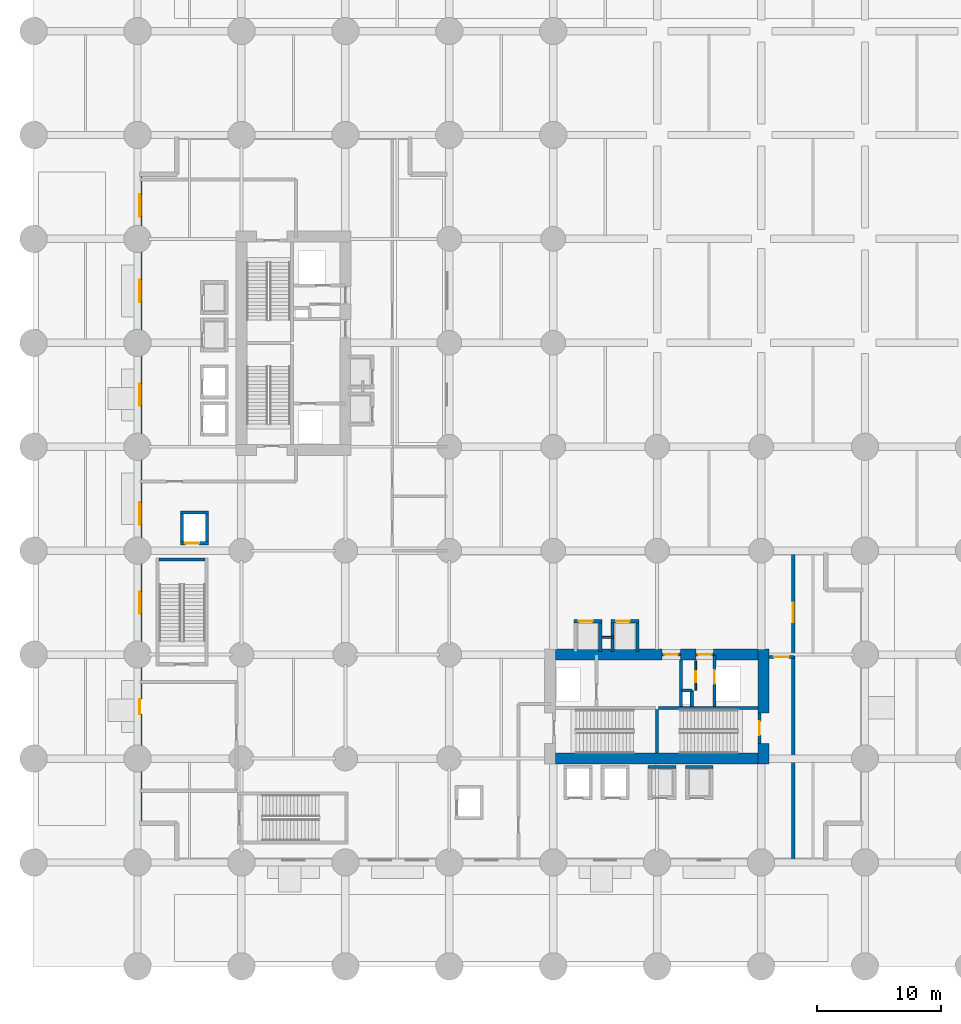
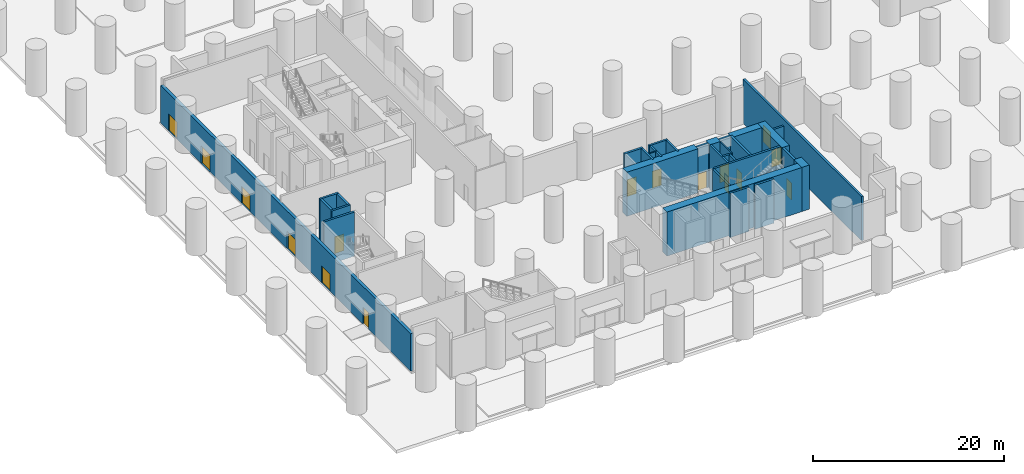
# One storey, part 6 of 13: 32 walls, 16 doors, 16 openings.
"""IFC4 building model written with IfcOpenShell, lengths in metres."""

from ifc_helpers import new_model, si_unit, direction, frame, frame_2d, origin, place, context, subcontext, project, spatial, rectangle, extrude, material, layer, layer_set, type_object, element, fill, save


model = new_model("IFC4")

# Units and contexts
model_context = context("Model", 3, precision=1e-05, world=origin(), true_north=direction((0.0, 1.0)))
body_context = subcontext(model_context, "Body", "Model", "MODEL_VIEW")
ifc_project = project(units=[si_unit("LENGTHUNIT", "METRE"), si_unit("AREAUNIT", "SQUARE_METRE"), si_unit("VOLUMEUNIT", "CUBIC_METRE"), si_unit("PLANEANGLEUNIT", "RADIAN"), si_unit("MASSUNIT", "GRAM", prefix="KILO")], contexts=[model_context])

# Site, building, storey
site_placement = place(None, origin())
site = spatial("IfcSite", under=ifc_project, at=site_placement, CompositionType="ELEMENT")
building_placement = place(site_placement, origin())
building = spatial("IfcBuilding", under=site, at=building_placement, Name="Koriwani Terraces Tower", CompositionType="ELEMENT")
storey_placement = place(building_placement, origin())
storey = spatial("IfcBuildingStorey", under=building, at=storey_placement, Name="L00", CompositionType="ELEMENT", Elevation=0.0)

# Walls
ifc_material_1 = material(Name="Concrete C60/75", Category="concrete")
ifc_layer_1 = layer(ifc_material_1, 0.89990234375, Name="Concrete C60/75")
ifc_layer_set_1 = layer_set([ifc_layer_1], Name="Concrete C60/75")
wall_type_1 = type_object("IfcWallType", Name="WALL_CORE_RC_900", PredefinedType="SHEAR", material=ifc_layer_set_1)
wall_1_placement = place(storey_placement, frame((59.0, 16.35009765625, 0.0), z_axis=(0.0, 0.0, 1.0), x_axis=(0.0, 1.0, 0.0)))
element("IfcWall", 1, at=wall_1_placement, inside=storey, type_object=wall_type_1, Name="L00 East Split Core Shear Wall E1", PredefinedType="SHEAR", context=body_context, shape_type="SweptSolid", body=[
    extrude(rectangle(XDim=1.64990234375, YDim=0.89990234375, at=frame_2d((0.824951171875, 0.0))), origin(), (0.0, 0.0, 1.0), 5.64990234375),
])
wall_2_placement = place(storey_placement, frame((59.0, 20.5, 0.0), z_axis=(0.0, 0.0, 1.0), x_axis=(0.0, 1.0, 0.0)))
element("IfcWall", 2, at=wall_2_placement, inside=storey, type_object=wall_type_1, Name="L00 East Split Core Shear Wall E2", PredefinedType="SHEAR", context=body_context, shape_type="SweptSolid", body=[
    extrude(rectangle(XDim=5.14990234375, YDim=0.89990234375, at=frame_2d((2.574951171875, 0.0))), origin(), (0.0, 0.0, 1.0), 5.64990234375),
])
wall_3_placement = place(storey_placement, frame((42.199951171875, 16.800048828125, 0.0), z_axis=(0.0, 0.0, 1.0), x_axis=(1.0, 0.0, 0.0)))
element("IfcWall", 3, at=wall_3_placement, inside=storey, type_object=wall_type_1, Name="L00 East Split Core Shear Wall S1", PredefinedType="SHEAR", context=body_context, shape_type="SweptSolid", body=[
    extrude(rectangle(XDim=16.35009765625, YDim=0.89990234375, at=frame_2d((8.175048828125, 0.0))), origin(), (0.0, 0.0, 1.0), 5.64990234375),
])
wall_4_placement = place(storey_placement, frame((42.199951171875, 25.199951171875, 0.0), z_axis=(0.0, 0.0, 1.0), x_axis=(1.0, 0.0, 0.0)))
element("IfcWall", 4, at=wall_4_placement, inside=storey, type_object=wall_type_1, Name="L00 East Split Core Shear Wall N1", PredefinedType="SHEAR", context=body_context, shape_type="SweptSolid", body=[
    extrude(rectangle(XDim=8.60009765625, YDim=0.89990234375, at=frame_2d((4.300048828125, 0.0))), origin(), (0.0, 0.0, 1.0), 5.64990234375),
])
wall_5_placement = place(storey_placement, frame((52.280029296875, 25.199951171875, 0.0), z_axis=(0.0, 0.0, 1.0), x_axis=(1.0, 0.0, 0.0)))
element("IfcWall", 5, at=wall_5_placement, inside=storey, type_object=wall_type_1, Name="L00 East Split Core Shear Wall N2", PredefinedType="SHEAR", context=body_context, shape_type="SweptSolid", body=[
    extrude(rectangle(XDim=1.27001953125, YDim=0.89990234375, at=frame_2d((0.635009765625, 0.0))), origin(), (0.0, 0.0, 1.0), 5.64990234375),
])
wall_6_placement = place(storey_placement, frame((54.949951171875, 25.199951171875, 0.0), z_axis=(0.0, 0.0, 1.0), x_axis=(1.0, 0.0, 0.0)))
element("IfcWall", 6, at=wall_6_placement, inside=storey, type_object=wall_type_1, Name="L00 East Split Core Shear Wall N3", PredefinedType="SHEAR", context=body_context, shape_type="SweptSolid", body=[
    extrude(rectangle(XDim=3.60009765625, YDim=0.89990234375, at=frame_2d((1.800048828125, 0.0))), origin(), (0.0, 0.0, 1.0), 5.64990234375),
])

# Wall, openings, doors
ifc_material_2 = material(Name="Concrete C50/60", Category="concrete")
ifc_layer_2 = layer(ifc_material_2, 0.35009765625, Name="Concrete C50/60")
ifc_layer_set_2 = layer_set([ifc_layer_2], Name="Concrete C50/60")
wall_type_2 = type_object("IfcWallType", Name="WALL_EXT_BRUTALIST_350", PredefinedType="STANDARD", material=ifc_layer_set_2)
wall_7_placement = place(storey_placement, frame((8.574951171875, 11.574951171875, 0.0), z_axis=(0.0, 0.0, 1.0), x_axis=(0.0, 1.0, 0.0)))
wall_7 = element("IfcWall", 7, at=wall_7_placement, inside=storey, type_object=wall_type_2, Name="L00 Fair-Faced Brutalist Exterior Wall (W)", PredefinedType="STANDARD", context=body_context, shape_type="SweptSolid", body=[
    extrude(rectangle(XDim=52.449951171875, YDim=0.35009765625, at=frame_2d((26.22509765625, 0.0))), origin(), (0.0, 0.0, 1.0), 4.800048828125),
])
opening_1_placement = place(wall_7_placement, frame((24.125, 0.0, 0.0)))
opening_1 = element("IfcOpeningElement", 8, at=opening_1_placement, cuts=wall_7, Name="Opening D-01", PredefinedType="OPENING", context=body_context, shape_type="SweptSolid", body=[
    extrude(rectangle(XDim=1.800048828125, YDim=2.199951171875, at=frame_2d((0.89990234375, 1.10009765625))), frame((0.0, 0.18505859375, 0.0), z_axis=(0.0, -1.0, 0.0), x_axis=(1.0, 0.0, 0.0)), (0.0, 0.0, 1.0), 0.3701171875),
])
opening_2_placement = place(wall_7_placement, frame((33.72509765625, 0.0, 0.0)))
opening_2 = element("IfcOpeningElement", 9, at=opening_2_placement, cuts=wall_7, Name="Opening D-01", PredefinedType="OPENING", context=body_context, shape_type="SweptSolid", body=[
    extrude(rectangle(XDim=1.800048828125, YDim=2.199951171875, at=frame_2d((0.89990234375, 1.10009765625))), frame((0.0, 0.18505859375, 0.0), z_axis=(0.0, -1.0, 0.0), x_axis=(1.0, 0.0, 0.0)), (0.0, 0.0, 1.0), 0.3701171875),
])
opening_3_placement = place(wall_7_placement, frame((42.125, 0.0, 0.0)))
opening_3 = element("IfcOpeningElement", 10, at=opening_3_placement, cuts=wall_7, Name="Opening D-01", PredefinedType="OPENING", context=body_context, shape_type="SweptSolid", body=[
    extrude(rectangle(XDim=1.800048828125, YDim=2.199951171875, at=frame_2d((0.89990234375, 1.10009765625))), frame((0.0, 0.18505859375, 0.0), z_axis=(0.0, -1.0, 0.0), x_axis=(1.0, 0.0, 0.0)), (0.0, 0.0, 1.0), 0.3701171875),
])
opening_4_placement = place(wall_7_placement, frame((49.02490234375, 0.0, 0.0)))
opening_4 = element("IfcOpeningElement", 11, at=opening_4_placement, cuts=wall_7, Name="Opening D-01", PredefinedType="OPENING", context=body_context, shape_type="SweptSolid", body=[
    extrude(rectangle(XDim=1.800048828125, YDim=2.199951171875, at=frame_2d((0.89990234375, 1.10009765625))), frame((0.0, 0.18505859375, 0.0), z_axis=(0.0, -1.0, 0.0), x_axis=(1.0, 0.0, 0.0)), (0.0, 0.0, 1.0), 0.3701171875),
])
opening_5_placement = place(wall_7_placement, frame((16.925048828125, 0.0, 0.0)))
opening_5 = element("IfcOpeningElement", 12, at=opening_5_placement, cuts=wall_7, Name="Opening D-01", PredefinedType="OPENING", context=body_context, shape_type="SweptSolid", body=[
    extrude(rectangle(XDim=1.800048828125, YDim=2.199951171875, at=frame_2d((0.89990234375, 1.10009765625))), frame((0.0, 0.18505859375, 0.0), z_axis=(0.0, -1.0, 0.0), x_axis=(1.0, 0.0, 0.0)), (0.0, 0.0, 1.0), 0.3701171875),
])
opening_6_placement = place(wall_7_placement, frame((8.824951171875, 0.0, 0.0)))
opening_6 = element("IfcOpeningElement", 13, at=opening_6_placement, cuts=wall_7, Name="Opening D-04", PredefinedType="OPENING", context=body_context, shape_type="SweptSolid", body=[
    extrude(rectangle(XDim=1.199951171875, YDim=2.14990234375, at=frame_2d((0.60009765625, 1.074951171875))), frame((0.0, 0.18505859375, 0.0), z_axis=(0.0, -1.0, 0.0), x_axis=(1.0, 0.0, 0.0)), (0.0, 0.0, 1.0), 0.3701171875),
])
ifc_material_3 = material(Name="Anodised Bronze Aluminium", Category="aluminium")
door_type_1 = type_object("IfcDoorType", Name="DOOR_EXIT_DOUBLE_1800X2200", OperationType="NOTDEFINED", PredefinedType="DOOR", material=ifc_material_3)
door_1_placement = place(opening_1_placement, origin())
door_1 = element("IfcDoor", 14, at=door_1_placement, inside=storey, type_object=door_type_1, Name="Final Exit Door EX-05 (Podium Stair ST-P1 Discharge)", OperationType="DOUBLE_SWING_LEFT", OverallHeight=2.199951171875, OverallWidth=1.800048828125, PredefinedType="DOOR", context=body_context, shape_type="SweptSolid", body=[
    extrude(rectangle(XDim=1.800048828125, YDim=2.199951171875, at=frame_2d((0.89990234375, 1.10009765625))), frame((0.0, 0.02490234375, 0.0), z_axis=(0.0, -1.0, 0.0), x_axis=(1.0, 0.0, 0.0)), (0.0, 0.0, 1.0), 0.050048828125),
])
fill(opening_1, door_1)
door_2_placement = place(opening_2_placement, origin())
door_2 = element("IfcDoor", 15, at=door_2_placement, inside=storey, type_object=door_type_1, Name="Final Exit Door EX-06 (West Stair ST-W1 Protected Discharge)", OperationType="DOUBLE_SWING_LEFT", OverallHeight=2.199951171875, OverallWidth=1.800048828125, PredefinedType="DOOR", context=body_context, shape_type="SweptSolid", body=[
    extrude(rectangle(XDim=1.800048828125, YDim=2.199951171875, at=frame_2d((0.89990234375, 1.10009765625))), frame((0.0, 0.02490234375, 0.0), z_axis=(0.0, -1.0, 0.0), x_axis=(1.0, 0.0, 0.0)), (0.0, 0.0, 1.0), 0.050048828125),
])
fill(opening_2, door_2)
door_3_placement = place(opening_3_placement, origin())
door_3 = element("IfcDoor", 16, at=door_3_placement, inside=storey, type_object=door_type_1, Name="Final Exit Door EX-07 (West Stair ST-W2 Protected Discharge)", OperationType="DOUBLE_SWING_LEFT", OverallHeight=2.199951171875, OverallWidth=1.800048828125, PredefinedType="DOOR", context=body_context, shape_type="SweptSolid", body=[
    extrude(rectangle(XDim=1.800048828125, YDim=2.199951171875, at=frame_2d((0.89990234375, 1.10009765625))), frame((0.0, 0.02490234375, 0.0), z_axis=(0.0, -1.0, 0.0), x_axis=(1.0, 0.0, 0.0)), (0.0, 0.0, 1.0), 0.050048828125),
])
fill(opening_3, door_3)
door_4_placement = place(opening_4_placement, origin())
door_4 = element("IfcDoor", 17, at=door_4_placement, inside=storey, type_object=door_type_1, Name="Final Exit Door EX-08 (West Protected Passage North Exit)", OperationType="DOUBLE_SWING_LEFT", OverallHeight=2.199951171875, OverallWidth=1.800048828125, PredefinedType="DOOR", context=body_context, shape_type="SweptSolid", body=[
    extrude(rectangle(XDim=1.800048828125, YDim=2.199951171875, at=frame_2d((0.89990234375, 1.10009765625))), frame((0.0, 0.02490234375, 0.0), z_axis=(0.0, -1.0, 0.0), x_axis=(1.0, 0.0, 0.0)), (0.0, 0.0, 1.0), 0.050048828125),
])
fill(opening_4, door_4)
door_5_placement = place(opening_5_placement, origin())
door_5 = element("IfcDoor", 18, at=door_5_placement, inside=storey, type_object=door_type_1, Name="Final Exit Door EX-11 (West Concourse Plaza Exit)", OperationType="DOUBLE_SWING_LEFT", OverallHeight=2.199951171875, OverallWidth=1.800048828125, PredefinedType="DOOR", context=body_context, shape_type="SweptSolid", body=[
    extrude(rectangle(XDim=1.800048828125, YDim=2.199951171875, at=frame_2d((0.89990234375, 1.10009765625))), frame((0.0, 0.02490234375, 0.0), z_axis=(0.0, -1.0, 0.0), x_axis=(1.0, 0.0, 0.0)), (0.0, 0.0, 1.0), 0.050048828125),
])
fill(opening_5, door_5)
ifc_material_4 = material(Name="Steel ASTM A572 Grade 50", Category="steel")
door_type_2 = type_object("IfcDoorType", Name="DOOR_FF_LOBBY_1200X2150", OperationType="NOTDEFINED", PredefinedType="DOOR", material=ifc_material_4)
door_6_placement = place(opening_6_placement, origin())
door_6 = element("IfcDoor", 19, at=door_6_placement, inside=storey, type_object=door_type_2, Name="Fire Command Room Direct Street Entrance", OperationType="SINGLE_SWING_LEFT", OverallHeight=2.14990234375, OverallWidth=1.199951171875, PredefinedType="DOOR", context=body_context, shape_type="SweptSolid", body=[
    extrude(rectangle(XDim=1.199951171875, YDim=2.14990234375, at=frame_2d((0.60009765625, 1.074951171875))), frame((0.0, 0.02490234375, 0.0), z_axis=(0.0, -1.0, 0.0), x_axis=(1.0, 0.0, 0.0)), (0.0, 0.0, 1.0), 0.050048828125),
])
fill(opening_6, door_6)

# Walls
ifc_material_5 = material(Name="Concrete C40/50", Category="concrete")
ifc_layer_3 = layer(ifc_material_5, 0.25, Name="Concrete C40/50")
ifc_layer_set_3 = layer_set([ifc_layer_3], Name="Concrete C40/50")
wall_type_3 = type_object("IfcWallType", Name="WALL_SHAFT_RATED_250", PredefinedType="SOLIDWALL", material=ifc_layer_set_3)
wall_8_placement = place(storey_placement, frame((50.5, 20.875, 0.0), z_axis=(0.0, 0.0, 1.0), x_axis=(1.0, 0.0, 0.0)))
element("IfcWall", 20, at=wall_8_placement, inside=storey, type_object=wall_type_3, Name="L00 East Split Core Web Wall MID2", PredefinedType="SOLIDWALL", context=body_context, shape_type="SweptSolid", body=[
    extrude(rectangle(XDim=8.050048828125, YDim=0.25, at=frame_2d((4.02490234375, 0.0))), origin(), (0.0, 0.0, 1.0), 5.64990234375),
])
wall_9_placement = place(storey_placement, frame((50.375, 17.25, 0.0), z_axis=(0.0, 0.0, 1.0), x_axis=(0.0, 1.0, 0.0)))
element("IfcWall", 21, at=wall_9_placement, inside=storey, type_object=wall_type_3, Name="L00 East Split Core Stair Dividing Wall", PredefinedType="SOLIDWALL", context=body_context, shape_type="SweptSolid", body=[
    extrude(rectangle(XDim=3.5, YDim=0.25, at=frame_2d((1.75, 0.0))), origin(), (0.0, 0.0, 1.0), 5.64990234375),
])
wall_10_placement = place(storey_placement, frame((10.14990234375, 32.875, 0.0), z_axis=(0.0, 0.0, 1.0), x_axis=(1.0, 0.0, 0.0)))
element("IfcWall", 22, at=wall_10_placement, inside=storey, type_object=wall_type_3, Name="L00 Podium Stair ST-P1 North Bearing Wall", PredefinedType="SOLIDWALL", context=body_context, shape_type="SweptSolid", body=[
    extrude(rectangle(XDim=3.7001953125, YDim=0.25, at=frame_2d((1.85009765625, 0.0))), origin(), (0.0, 0.0, 1.0), 5.64990234375),
])

# Wall, opening, door
wall_11_placement = place(storey_placement, frame((58.675048828125, 18.0, 0.0), z_axis=(0.0, 0.0, 1.0), x_axis=(0.0, 1.0, 0.0)))
wall_11 = element("IfcWall", 23, at=wall_11_placement, inside=storey, type_object=wall_type_3, Name="L00 Interior Wall WIN-CE-L00-STE", PredefinedType="SOLIDWALL", context=body_context, shape_type="SweptSolid", body=[
    extrude(rectangle(XDim=2.5, YDim=0.25, at=frame_2d((1.25, 0.0))), origin(), (0.0, 0.0, 1.0), 5.64990234375),
])
opening_7_placement = place(wall_11_placement, frame((0.699951171875, 0.0, 0.0)))
opening_7 = element("IfcOpeningElement", 24, at=opening_7_placement, cuts=wall_11, Name="Opening D-03", PredefinedType="OPENING", context=body_context, shape_type="SweptSolid", body=[
    extrude(rectangle(XDim=1.10009765625, YDim=2.14990234375, at=frame_2d((0.550048828125, 1.074951171875))), frame((0.0, 0.135009765625, 0.0), z_axis=(0.0, -1.0, 0.0), x_axis=(1.0, 0.0, 0.0)), (0.0, 0.0, 1.0), 0.27001953125),
])
door_type_3 = type_object("IfcDoorType", Name="DOOR_STAIR_FIRE_1100X2150", OperationType="NOTDEFINED", PredefinedType="DOOR", material=ifc_material_4)
door_7_placement = place(opening_7_placement, origin())
door_7 = element("IfcDoor", 25, at=door_7_placement, inside=storey, type_object=door_type_3, Name="L00 Exit Stair ST-E2 Door", OperationType="SINGLE_SWING_RIGHT", OverallHeight=2.14990234375, OverallWidth=1.10009765625, PredefinedType="DOOR", context=body_context, shape_type="SweptSolid", body=[
    extrude(rectangle(XDim=1.10009765625, YDim=2.14990234375, at=frame_2d((0.550048828125, 1.074951171875))), frame((0.0, 0.02490234375, 0.0), z_axis=(0.0, -1.0, 0.0), x_axis=(1.0, 0.0, 0.0)), (0.0, 0.0, 1.0), 0.050048828125),
])
fill(opening_7, door_7)

wall_12_placement = place(storey_placement, frame((50.800048828125, 25.199951171875, 0.0), z_axis=(0.0, 0.0, 1.0), x_axis=(1.0, 0.0, 0.0)))
wall_12 = element("IfcWall", 26, at=wall_12_placement, inside=storey, type_object=wall_type_3, Name="L00 Interior Wall WIN-CE-L00-NP", PredefinedType="SOLIDWALL", context=body_context, shape_type="SweptSolid", body=[
    extrude(rectangle(XDim=1.47998046875, YDim=0.25, at=frame_2d((0.739990234375, 0.0))), origin(), (0.0, 0.0, 1.0), 5.64990234375),
])
opening_8_placement = place(wall_12_placement, frame((0.179931640625, 0.0, 0.0)))
opening_8 = element("IfcOpeningElement", 27, at=opening_8_placement, cuts=wall_12, Name="Opening D-03", PredefinedType="OPENING", context=body_context, shape_type="SweptSolid", body=[
    extrude(rectangle(XDim=1.10009765625, YDim=2.14990234375, at=frame_2d((0.550048828125, 1.074951171875))), frame((0.0, 0.135009765625, 0.0), z_axis=(0.0, -1.0, 0.0), x_axis=(1.0, 0.0, 0.0)), (0.0, 0.0, 1.0), 0.27001953125),
])
door_8_placement = place(opening_8_placement, origin())
door_8 = element("IfcDoor", 28, at=door_8_placement, inside=storey, type_object=door_type_3, Name="L00 East Firefighting Lobby Door", OperationType="SINGLE_SWING_LEFT", OverallHeight=2.14990234375, OverallWidth=1.10009765625, PredefinedType="DOOR", context=body_context, shape_type="SweptSolid", body=[
    extrude(rectangle(XDim=1.10009765625, YDim=2.14990234375, at=frame_2d((0.550048828125, 1.074951171875))), frame((0.0, 0.02490234375, 0.0), z_axis=(0.0, -1.0, 0.0), x_axis=(1.0, 0.0, 0.0)), (0.0, 0.0, 1.0), 0.050048828125),
])
fill(opening_8, door_8)

# Wall
wall_13_placement = place(storey_placement, frame((52.340087890625, 21.0, 0.0), z_axis=(0.0, 0.0, 1.0), x_axis=(0.0, 1.0, 0.0)))
element("IfcWall", 29, at=wall_13_placement, inside=storey, type_object=wall_type_3, Name="L00 Interior Wall WIN-CE-L00-FFE", PredefinedType="SOLIDWALL", context=body_context, shape_type="SweptSolid", body=[
    extrude(rectangle(XDim=3.75, YDim=0.25, at=frame_2d((1.875, 0.0))), origin(), (0.0, 0.0, 1.0), 5.64990234375),
])

# Wall, opening, door
wall_14_placement = place(storey_placement, frame((55.050048828125, 21.0, 0.0), z_axis=(0.0, 0.0, 1.0), x_axis=(0.0, 1.0, 0.0)))
wall_14 = element("IfcWall", 30, at=wall_14_placement, inside=storey, type_object=wall_type_3, Name="L00 Interior Wall WIN-CE-L00-SE", PredefinedType="SOLIDWALL", context=body_context, shape_type="SweptSolid", body=[
    extrude(rectangle(XDim=4.14990234375, YDim=0.25, at=frame_2d((2.074951171875, 0.0))), origin(), (0.0, 0.0, 1.0), 5.64990234375),
])
opening_9_placement = place(wall_14_placement, frame((1.85009765625, 0.0, 0.0)))
opening_9 = element("IfcOpeningElement", 31, at=opening_9_placement, cuts=wall_14, Name="Opening LD-01", PredefinedType="OPENING", context=body_context, shape_type="SweptSolid", body=[
    extrude(rectangle(XDim=1.10009765625, YDim=2.14990234375, at=frame_2d((0.550048828125, 1.074951171875))), frame((0.0, 0.135009765625, 0.0), z_axis=(0.0, -1.0, 0.0), x_axis=(1.0, 0.0, 0.0)), (0.0, 0.0, 1.0), 0.27001953125),
])
door_type_4 = type_object("IfcDoorType", Name="DOOR_LIFT_LANDING_1100X2200", OperationType="NOTDEFINED", PredefinedType="DOOR", material=ifc_material_4)
door_9_placement = place(opening_9_placement, origin())
door_9 = element("IfcDoor", 32, at=door_9_placement, inside=storey, type_object=door_type_4, Name="L00 Goods Lift SE-02 Landing Door", OperationType="SLIDING_TO_LEFT", OverallHeight=2.14990234375, OverallWidth=1.10009765625, PredefinedType="DOOR", context=body_context, shape_type="SweptSolid", body=[
    extrude(rectangle(XDim=1.10009765625, YDim=2.14990234375, at=frame_2d((0.550048828125, 1.074951171875))), frame((0.0, 0.02490234375, 0.0), z_axis=(0.0, -1.0, 0.0), x_axis=(1.0, 0.0, 0.0)), (0.0, 0.0, 1.0), 0.050048828125),
])
fill(opening_9, door_9)

wall_15_placement = place(storey_placement, frame((53.550048828125, 25.199951171875, 0.0), z_axis=(0.0, 0.0, 1.0), x_axis=(1.0, 0.0, 0.0)))
wall_15 = element("IfcWall", 33, at=wall_15_placement, inside=storey, type_object=wall_type_3, Name="L00 Interior Wall WIN-CE-L00-NP2", PredefinedType="SOLIDWALL", context=body_context, shape_type="SweptSolid", body=[
    extrude(rectangle(XDim=1.39990234375, YDim=0.25, at=frame_2d((0.699951171875, 0.0))), origin(), (0.0, 0.0, 1.0), 5.64990234375),
])
opening_10_placement = place(wall_15_placement, frame((0.14990234375, 0.0, 0.0)))
opening_10 = element("IfcOpeningElement", 34, at=opening_10_placement, cuts=wall_15, Name="Opening D-03", PredefinedType="OPENING", context=body_context, shape_type="SweptSolid", body=[
    extrude(rectangle(XDim=1.10009765625, YDim=2.14990234375, at=frame_2d((0.550048828125, 1.074951171875))), frame((0.0, 0.135009765625, 0.0), z_axis=(0.0, -1.0, 0.0), x_axis=(1.0, 0.0, 0.0)), (0.0, 0.0, 1.0), 0.27001953125),
])
door_10_placement = place(opening_10_placement, origin())
door_10 = element("IfcDoor", 35, at=door_10_placement, inside=storey, type_object=door_type_3, Name="L00 East Goods Lift Lobby Door", OperationType="SINGLE_SWING_RIGHT", OverallHeight=2.14990234375, OverallWidth=1.10009765625, PredefinedType="DOOR", context=body_context, shape_type="SweptSolid", body=[
    extrude(rectangle(XDim=1.10009765625, YDim=2.14990234375, at=frame_2d((0.550048828125, 1.074951171875))), frame((0.0, 0.02490234375, 0.0), z_axis=(0.0, -1.0, 0.0), x_axis=(1.0, 0.0, 0.0)), (0.0, 0.0, 1.0), 0.050048828125),
])
fill(opening_10, door_10)

# Walls
wall_16_placement = place(storey_placement, frame((53.199951171875, 21.0, 0.0), z_axis=(0.0, 0.0, 1.0), x_axis=(0.0, 1.0, 0.0)))
element("IfcWall", 36, at=wall_16_placement, inside=storey, type_object=wall_type_3, Name="L00 Interior Wall WIN-CE-L00-RS1", PredefinedType="SOLIDWALL", context=body_context, shape_type="SweptSolid", body=[
    extrude(rectangle(XDim=1.300048828125, YDim=0.25, at=frame_2d((0.64990234375, 0.0))), origin(), (0.0, 0.0, 1.0), 5.64990234375),
])
wall_17_placement = place(storey_placement, frame((52.360107421875, 22.300048828125, 0.0), z_axis=(0.0, 0.0, 1.0), x_axis=(1.0, 0.0, 0.0)))
element("IfcWall", 37, at=wall_17_placement, inside=storey, type_object=wall_type_3, Name="L00 Interior Wall WIN-CE-L00-RS2", PredefinedType="SOLIDWALL", context=body_context, shape_type="SweptSolid", body=[
    extrude(rectangle(XDim=0.83984375, YDim=0.25, at=frame_2d((0.419921875, 0.0))), origin(), (0.0, 0.0, 1.0), 5.64990234375),
])

# Wall, opening, door
wall_18_placement = place(storey_placement, frame((11.875, 34.199951171875, 0.0), z_axis=(0.0, 0.0, 1.0), x_axis=(1.0, 0.0, 0.0)))
wall_18 = element("IfcWall", 38, at=wall_18_placement, inside=storey, type_object=wall_type_3, Name="L00 Interior Wall WIN-LF-PE-P1-L00-F", PredefinedType="SOLIDWALL", context=body_context, shape_type="SweptSolid", body=[
    extrude(rectangle(XDim=2.25, YDim=0.25, at=frame_2d((1.125, 0.0))), origin(), (0.0, 0.0, 1.0), 5.64990234375),
])
opening_11_placement = place(wall_18_placement, frame((0.39990234375, 0.0, 0.0)))
opening_11 = element("IfcOpeningElement", 39, at=opening_11_placement, cuts=wall_18, Name="Opening LD-01", PredefinedType="OPENING", context=body_context, shape_type="SweptSolid", body=[
    extrude(rectangle(XDim=1.10009765625, YDim=2.14990234375, at=frame_2d((0.550048828125, 1.074951171875))), frame((0.0, 0.135009765625, 0.0), z_axis=(0.0, -1.0, 0.0), x_axis=(1.0, 0.0, 0.0)), (0.0, 0.0, 1.0), 0.27001953125),
])
door_11_placement = place(opening_11_placement, origin())
door_11 = element("IfcDoor", 40, at=door_11_placement, inside=storey, type_object=door_type_4, Name="L00 Passenger Lift PE-P1 Landing Door", OperationType="SLIDING_TO_LEFT", OverallHeight=2.14990234375, OverallWidth=1.10009765625, PredefinedType="DOOR", context=body_context, shape_type="SweptSolid", body=[
    extrude(rectangle(XDim=1.10009765625, YDim=2.14990234375, at=frame_2d((0.550048828125, 1.074951171875))), frame((0.0, 0.02490234375, 0.0), z_axis=(0.0, -1.0, 0.0), x_axis=(1.0, 0.0, 0.0)), (0.0, 0.0, 1.0), 0.050048828125),
])
fill(opening_11, door_11)

# Walls
for number, where, z_axis, x_axis, name in (
    (41, (11.875, 36.699951171875, 0.0), (0.0, 0.0, 1.0), (1.0, 0.0, 0.0), "L00 Interior Wall WIN-LF-PE-P1-L00-B"),
    (42, (12.0, 34.324951171875, 0.0), (0.0, 0.0, 1.0), (0.0, 1.0, 0.0), "L00 Interior Wall WIN-LF-PE-P1-L00-W"),
    (43, (14.0, 34.324951171875, 0.0), (0.0, 0.0, 1.0), (0.0, 1.0, 0.0), "L00 Interior Wall WIN-LF-PE-P1-L00-E"),
    (44, (49.675048828125, 16.10009765625, 0.0), (0.0, 0.0, 1.0), (1.0, 0.0, 0.0), "L00 Interior Wall WIN-LF-PE-M3-L00-B"),
    (45, (52.675048828125, 16.10009765625, 0.0), (0.0, 0.0, 1.0), (1.0, 0.0, 0.0), "L00 Interior Wall WIN-LF-PE-M4-L00-B"),
):
    element("IfcWall", number, at=place(storey_placement, frame(where, z_axis=z_axis, x_axis=x_axis)), inside=storey, type_object=wall_type_3, Name=name, PredefinedType="SOLIDWALL", context=body_context, shape_type="SweptSolid", body=[
        extrude(rectangle(XDim=2.25, YDim=0.25, at=frame_2d((1.125, 0.0))), origin(), (0.0, 0.0, 1.0), 5.64990234375),
    ])

# Wall, opening, door
wall_19_placement = place(storey_placement, frame((43.675048828125, 27.89990234375, 0.0), z_axis=(0.0, 0.0, 1.0), x_axis=(1.0, 0.0, 0.0)))
wall_19 = element("IfcWall", 46, at=wall_19_placement, inside=storey, type_object=wall_type_3, Name="L00 Interior Wall WIN-LF-PE-H3-L00-F", PredefinedType="SOLIDWALL", context=body_context, shape_type="SweptSolid", body=[
    extrude(rectangle(XDim=2.25, YDim=0.25, at=frame_2d((1.125, 0.0))), origin(), (0.0, 0.0, 1.0), 5.64990234375),
])
opening_12_placement = place(wall_19_placement, frame((0.39990234375, 0.0, 0.0)))
opening_12 = element("IfcOpeningElement", 47, at=opening_12_placement, cuts=wall_19, Name="Opening LD-01", PredefinedType="OPENING", context=body_context, shape_type="SweptSolid", body=[
    extrude(rectangle(XDim=1.10009765625, YDim=2.14990234375, at=frame_2d((0.550048828125, 1.074951171875))), frame((0.0, 0.135009765625, 0.0), z_axis=(0.0, -1.0, 0.0), x_axis=(1.0, 0.0, 0.0)), (0.0, 0.0, 1.0), 0.27001953125),
])
door_12_placement = place(opening_12_placement, origin())
door_12 = element("IfcDoor", 48, at=door_12_placement, inside=storey, type_object=door_type_4, Name="L00 Passenger Lift PE-H3 Landing Door", OperationType="SLIDING_TO_LEFT", OverallHeight=2.14990234375, OverallWidth=1.10009765625, PredefinedType="DOOR", context=body_context, shape_type="SweptSolid", body=[
    extrude(rectangle(XDim=1.10009765625, YDim=2.14990234375, at=frame_2d((0.550048828125, 1.074951171875))), frame((0.0, 0.02490234375, 0.0), z_axis=(0.0, -1.0, 0.0), x_axis=(1.0, 0.0, 0.0)), (0.0, 0.0, 1.0), 0.050048828125),
])
fill(opening_12, door_12)

# Wall
wall_20_placement = place(storey_placement, frame((45.800048828125, 25.449951171875, 0.0), z_axis=(0.0, 0.0, 1.0), x_axis=(0.0, 1.0, 0.0)))
element("IfcWall", 49, at=wall_20_placement, inside=storey, type_object=wall_type_3, Name="L00 Interior Wall WIN-LF-PE-H3-L00-E", PredefinedType="SOLIDWALL", context=body_context, shape_type="SweptSolid", body=[
    extrude(rectangle(XDim=2.324951171875, YDim=0.25, at=frame_2d((1.16259765625, 0.0))), origin(), (0.0, 0.0, 1.0), 5.64990234375),
])

# Wall, opening, door
wall_21_placement = place(storey_placement, frame((46.675048828125, 27.89990234375, 0.0), z_axis=(0.0, 0.0, 1.0), x_axis=(1.0, 0.0, 0.0)))
wall_21 = element("IfcWall", 50, at=wall_21_placement, inside=storey, type_object=wall_type_3, Name="L00 Interior Wall WIN-LF-PE-H4-L00-F", PredefinedType="SOLIDWALL", context=body_context, shape_type="SweptSolid", body=[
    extrude(rectangle(XDim=2.25, YDim=0.25, at=frame_2d((1.125, 0.0))), origin(), (0.0, 0.0, 1.0), 5.64990234375),
])
opening_13_placement = place(wall_21_placement, frame((0.39990234375, 0.0, 0.0)))
opening_13 = element("IfcOpeningElement", 51, at=opening_13_placement, cuts=wall_21, Name="Opening LD-01", PredefinedType="OPENING", context=body_context, shape_type="SweptSolid", body=[
    extrude(rectangle(XDim=1.10009765625, YDim=2.14990234375, at=frame_2d((0.550048828125, 1.074951171875))), frame((0.0, 0.135009765625, 0.0), z_axis=(0.0, -1.0, 0.0), x_axis=(1.0, 0.0, 0.0)), (0.0, 0.0, 1.0), 0.27001953125),
])
door_13_placement = place(opening_13_placement, origin())
door_13 = element("IfcDoor", 52, at=door_13_placement, inside=storey, type_object=door_type_4, Name="L00 Passenger Lift PE-H4 Landing Door", OperationType="SLIDING_TO_LEFT", OverallHeight=2.14990234375, OverallWidth=1.10009765625, PredefinedType="DOOR", context=body_context, shape_type="SweptSolid", body=[
    extrude(rectangle(XDim=1.10009765625, YDim=2.14990234375, at=frame_2d((0.550048828125, 1.074951171875))), frame((0.0, 0.02490234375, 0.0), z_axis=(0.0, -1.0, 0.0), x_axis=(1.0, 0.0, 0.0)), (0.0, 0.0, 1.0), 0.050048828125),
])
fill(opening_13, door_13)

# Walls
for number, where, z_axis, x_axis, name in (
    (53, (46.800048828125, 25.449951171875, 0.0), (0.0, 0.0, 1.0), (0.0, 1.0, 0.0), "L00 Interior Wall WIN-LF-PE-H4-L00-W"),
    (54, (48.800048828125, 25.449951171875, 0.0), (0.0, 0.0, 1.0), (0.0, 1.0, 0.0), "L00 Interior Wall WIN-LF-PE-H4-L00-E"),
):
    element("IfcWall", number, at=place(storey_placement, frame(where, z_axis=z_axis, x_axis=x_axis)), inside=storey, type_object=wall_type_3, Name=name, PredefinedType="SOLIDWALL", context=body_context, shape_type="SweptSolid", body=[
        extrude(rectangle(XDim=2.324951171875, YDim=0.25, at=frame_2d((1.16259765625, 0.0))), origin(), (0.0, 0.0, 1.0), 5.64990234375),
    ])

# Wall, opening, door
wall_22_placement = place(storey_placement, frame((59.449951171875, 25.0, 0.0), z_axis=(0.0, 0.0, 1.0), x_axis=(1.0, 0.0, 0.0)))
wall_22 = element("IfcWall", 55, at=wall_22_placement, inside=storey, type_object=wall_type_3, Name="L00 Interior Wall WL00-EPASS-N2", PredefinedType="SOLIDWALL", context=body_context, shape_type="SweptSolid", body=[
    extrude(rectangle(XDim=2.0, YDim=0.25, at=frame_2d((1.0, 0.0))), origin(), (0.0, 0.0, 1.0), 4.800048828125),
])
opening_14_placement = place(wall_22_placement, frame((0.39990234375, 0.0, 0.0)))
opening_14 = element("IfcOpeningElement", 56, at=opening_14_placement, cuts=wall_22, Name="Opening D-04", PredefinedType="OPENING", context=body_context, shape_type="SweptSolid", body=[
    extrude(rectangle(XDim=1.199951171875, YDim=2.14990234375, at=frame_2d((0.60009765625, 1.074951171875))), frame((0.0, 0.135009765625, 0.0), z_axis=(0.0, -1.0, 0.0), x_axis=(1.0, 0.0, 0.0)), (0.0, 0.0, 1.0), 0.27001953125),
])
door_14_placement = place(opening_14_placement, origin())
door_14 = element("IfcDoor", 57, at=door_14_placement, inside=storey, type_object=door_type_2, Name="L00 East Service Vestibule Door", OperationType="SINGLE_SWING_LEFT", OverallHeight=2.14990234375, OverallWidth=1.199951171875, PredefinedType="DOOR", context=body_context, shape_type="SweptSolid", body=[
    extrude(rectangle(XDim=1.199951171875, YDim=2.14990234375, at=frame_2d((0.60009765625, 1.074951171875))), frame((0.0, 0.02490234375, 0.0), z_axis=(0.0, -1.0, 0.0), x_axis=(1.0, 0.0, 0.0)), (0.0, 0.0, 1.0), 0.050048828125),
])
fill(opening_14, door_14)

wall_23_placement = place(storey_placement, frame((61.39990234375, 8.60009765625, 0.0), z_axis=(0.0, 0.0, 1.0), x_axis=(0.0, 1.0, 0.0)))
wall_23 = element("IfcWall", 58, at=wall_23_placement, inside=storey, type_object=wall_type_3, Name="L00 Interior Wall WL00-LOAD-W", PredefinedType="SOLIDWALL", context=body_context, shape_type="SweptSolid", body=[
    extrude(rectangle(XDim=24.7998046875, YDim=0.25, at=frame_2d((12.39990234375, 0.0))), origin(), (0.0, 0.0, 1.0), 5.64990234375),
])
opening_15_placement = place(wall_23_placement, frame((19.199951171875, 0.0, 0.0)))
opening_15 = element("IfcOpeningElement", 59, at=opening_15_placement, cuts=wall_23, Name="Opening D-08", PredefinedType="OPENING", context=body_context, shape_type="SweptSolid", body=[
    extrude(rectangle(XDim=1.60009765625, YDim=2.199951171875, at=frame_2d((0.800048828125, 1.10009765625))), frame((0.0, 0.135009765625, 0.0), z_axis=(0.0, -1.0, 0.0), x_axis=(1.0, 0.0, 0.0)), (0.0, 0.0, 1.0), 0.27001953125),
])
door_type_5 = type_object("IfcDoorType", Name="DOOR_PLANT_DOUBLE_1600X2200", OperationType="NOTDEFINED", PredefinedType="DOOR", material=ifc_material_4)
door_15_placement = place(opening_15_placement, origin())
door_15 = element("IfcDoor", 60, at=door_15_placement, inside=storey, type_object=door_type_5, Name="L00 Loading Bay Service Door", OperationType="SINGLE_SWING_LEFT", OverallHeight=2.199951171875, OverallWidth=1.60009765625, PredefinedType="DOOR", context=body_context, shape_type="SweptSolid", body=[
    extrude(rectangle(XDim=1.60009765625, YDim=2.199951171875, at=frame_2d((0.800048828125, 1.10009765625))), frame((0.0, 0.02490234375, 0.0), z_axis=(0.0, -1.0, 0.0), x_axis=(1.0, 0.0, 0.0)), (0.0, 0.0, 1.0), 0.050048828125),
])
fill(opening_15, door_15)

ifc_material_6 = material(Name="Fire-Rated Acoustic Gypsum Partition", Category="masonry")
ifc_layer_4 = layer(ifc_material_6, 0.159912109375, Name="Fire-Rated Acoustic Gypsum Partition")
ifc_layer_set_4 = layer_set([ifc_layer_4], Name="Fire-Rated Acoustic Gypsum Partition")
wall_type_4 = type_object("IfcWallType", Name="WALL_SUITE_160", PredefinedType="PARTITIONING", material=ifc_layer_set_4)
wall_24_placement = place(storey_placement, frame((53.52001953125, 22.320068359375, 0.0), z_axis=(0.0, 0.0, 1.0), x_axis=(0.0, 1.0, 0.0)))
wall_24 = element("IfcWall", 61, at=wall_24_placement, inside=storey, type_object=wall_type_4, Name="L00 Interior Wall WIN-CE-L00-SV0", PredefinedType="PARTITIONING", context=body_context, shape_type="SweptSolid", body=[
    extrude(rectangle(XDim=2.39990234375, YDim=0.159912109375, at=frame_2d((1.199951171875, 0.0))), origin(), (0.0, 0.0, 1.0), 5.64990234375),
])
opening_16_placement = place(wall_24_placement, frame((0.64990234375, 0.0, 0.0)))
opening_16 = element("IfcOpeningElement", 62, at=opening_16_placement, cuts=wall_24, Name="Opening D-07", PredefinedType="OPENING", context=body_context, shape_type="SweptSolid", body=[
    extrude(rectangle(XDim=0.89990234375, YDim=2.10009765625, at=frame_2d((0.449951171875, 1.050048828125))), frame((0.0, 0.08984375, 0.0), z_axis=(0.0, -1.0, 0.0), x_axis=(1.0, 0.0, 0.0)), (0.0, 0.0, 1.0), 0.179931640625),
])
ifc_material_7 = material(Name="Architectural Oak Fire Door", Category="wood")
door_type_6 = type_object("IfcDoorType", Name="DOOR_BATH_INT_900X2100", OperationType="NOTDEFINED", PredefinedType="DOOR", material=ifc_material_7)
door_16_placement = place(opening_16_placement, origin())
door_16 = element("IfcDoor", 63, at=door_16_placement, inside=storey, type_object=door_type_6, Name="L00 East Electrical Switch Room Door", OperationType="SINGLE_SWING_LEFT", OverallHeight=2.10009765625, OverallWidth=0.89990234375, PredefinedType="DOOR", context=body_context, shape_type="SweptSolid", body=[
    extrude(rectangle(XDim=0.89990234375, YDim=2.10009765625, at=frame_2d((0.449951171875, 1.050048828125))), frame((0.0, 0.02490234375, 0.0), z_axis=(0.0, -1.0, 0.0), x_axis=(1.0, 0.0, 0.0)), (0.0, 0.0, 1.0), 0.050048828125),
])
fill(opening_16, door_16)

# Wall
wall_25_placement = place(storey_placement, frame((45.9599609375, 26.60009765625, 0.0), z_axis=(0.0, 0.0, 1.0), x_axis=(1.0, 0.0, 0.0)))
element("IfcWall", 64, at=wall_25_placement, inside=storey, type_object=wall_type_4, Name="L00 Interior Wall WIN-LF-PEH34-MID-L00", PredefinedType="PARTITIONING", context=body_context, shape_type="SweptSolid", body=[
    extrude(rectangle(XDim=0.880126953125, YDim=0.159912109375, at=frame_2d((0.43994140625, 0.0))), origin(), (0.0, 0.0, 1.0), 5.64990234375),
])

save(model, "model.ifc")
